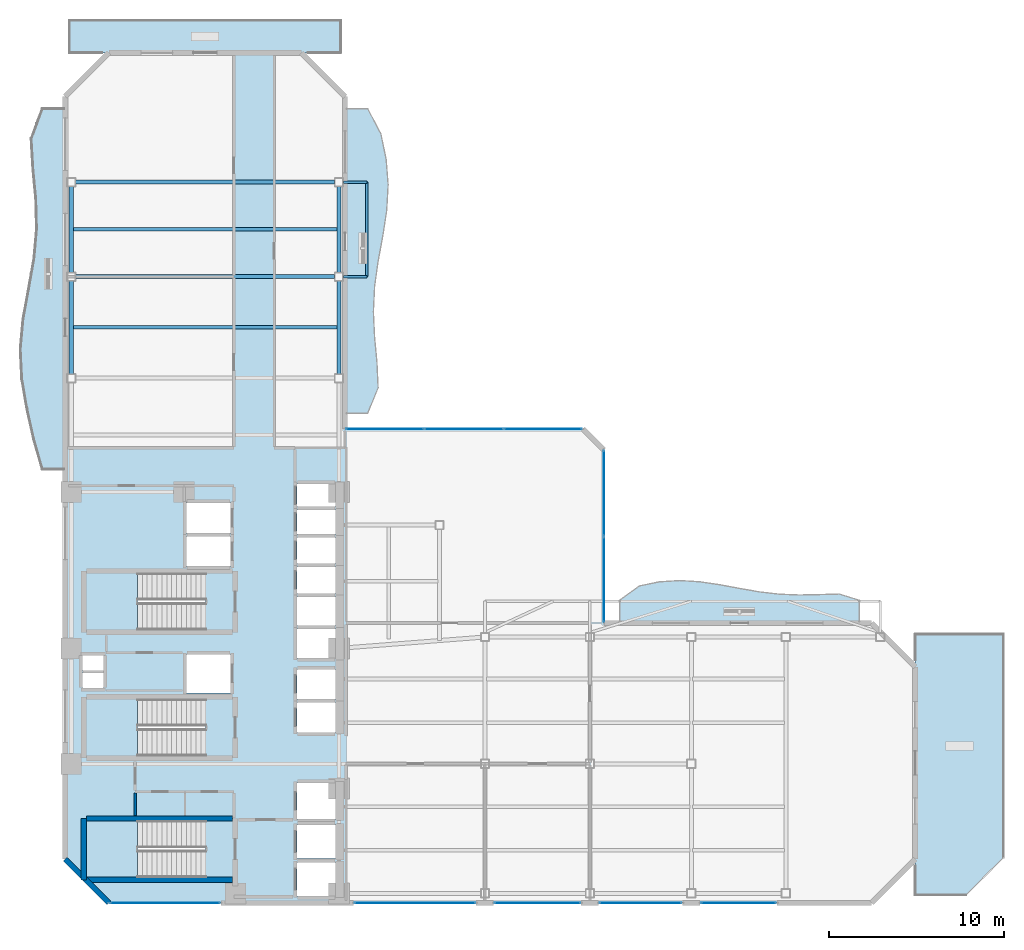
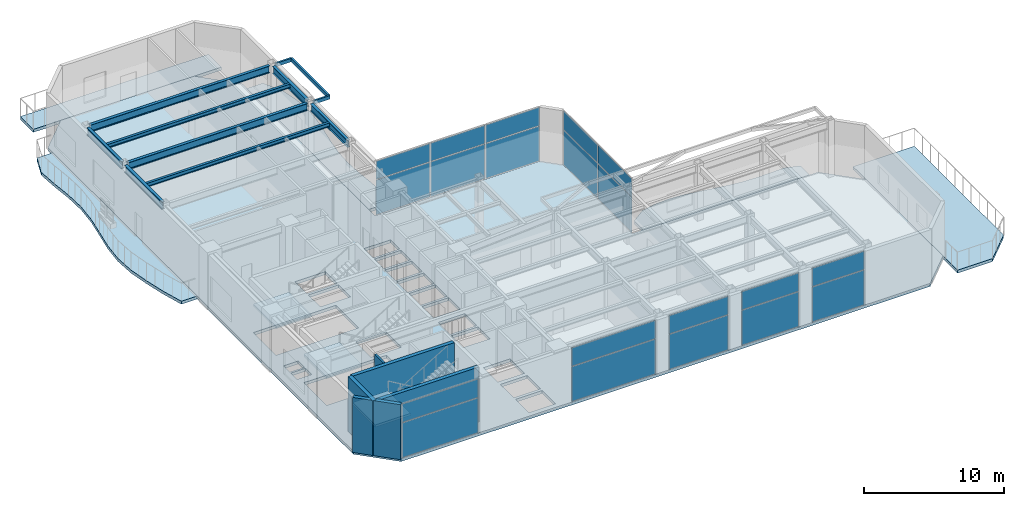
# One storey, part 15 of 23: 20 plates, 11 beams, 9 slabs, 5 walls, 10 elements without a shape of their own.
"""IFC4 building model written with IfcOpenShell, lengths in metres."""

from ifc_helpers import new_model, si_unit, direction, frame, frame_2d, origin, origin_2d, place, context, subcontext, project, spatial, polyline, rectangle, hollow_rectangle, i_section, outline, extrude, material, layer, layer_set, material_profile, profile_set, type_object, element, aggregate, save


model = new_model("IFC4")

# Units and contexts
model_context = context("Model", 3, precision=1e-05, world=origin(), true_north=direction((0.0, 1.0)))
body_context = subcontext(model_context, "Body", "Model", "MODEL_VIEW")
ifc_project = project(units=[si_unit("LENGTHUNIT", "METRE"), si_unit("AREAUNIT", "SQUARE_METRE"), si_unit("VOLUMEUNIT", "CUBIC_METRE"), si_unit("PLANEANGLEUNIT", "RADIAN"), si_unit("MASSUNIT", "GRAM", prefix="KILO")], contexts=[model_context])

# Site, building, storey
site_placement = place(None, origin())
site = spatial("IfcSite", under=ifc_project, at=site_placement, CompositionType="ELEMENT")
building_placement = place(site_placement, origin())
building = spatial("IfcBuilding", under=site, at=building_placement, Name="Mawjaban Terraces University", CompositionType="ELEMENT")
storey_placement = place(building_placement, frame((0.0, 0.0, 98.39990234375)))
storey = spatial("IfcBuildingStorey", under=building, at=storey_placement, Name="L23", CompositionType="ELEMENT", Elevation=98.39990234375)

# Beams
ifc_material_1 = material(Name="Steel EN 10210-1 S355J2H", Category="steel")
ifc_material_profile_1 = material_profile(ifc_material_1, hollow_rectangle(XDim=0.14990234375, YDim=0.300048828125, WallThickness=0.012451171875, at=origin_2d()), Name="RHS300X150X12.5")
ifc_profile_set_1 = profile_set([ifc_material_profile_1], Name="Steel EN 10210-1 S355J2H")
beam_type_1 = type_object("IfcBeamType", Name="BalconyCantileverSpandrel_RHS", PredefinedType="SPANDREL", material=ifc_profile_set_1)
for number, where, z_axis, x_axis, name in (
    (1, (37.89990234375, 35.800048828125, 4.64013671875), (1.0, 0.0, 0.0), (0.0, 1.0, 0.0), "L23 Exterior Outrigger BAL-L24-E.1"),
    (2, (37.89990234375, 41.199951171875, 4.64013671875), (1.0, 0.0, 0.0), (0.0, 1.0, 0.0), "L23 Exterior Outrigger BAL-L24-E.2"),
):
    element("IfcBeam", number, at=place(storey_placement, frame(where, z_axis=z_axis, x_axis=x_axis)), inside=storey, type_object=beam_type_1, Name=name, PredefinedType="SPANDREL", context=body_context, shape_type="SweptSolid", body=[
        extrude(hollow_rectangle(XDim=0.14990234375, YDim=0.300048828125, WallThickness=0.012451171875, at=origin_2d()), origin(), (0.0, 0.0, 1.0), 1.35009765625),
    ])
beam_1_placement = place(storey_placement, frame((39.25, 35.800048828125, 4.64013671875), z_axis=(0.0, 1.0, 0.0), x_axis=(-1.0, 0.0, 0.0)))
element("IfcBeam", 3, at=beam_1_placement, inside=storey, type_object=beam_type_1, Name="L23 Exterior Edge Spandrel BAL-L24-E", PredefinedType="SPANDREL", context=body_context, shape_type="SweptSolid", body=[
    extrude(hollow_rectangle(XDim=0.14990234375, YDim=0.300048828125, WallThickness=0.012451171875, at=origin_2d()), origin(), (0.0, 0.0, 1.0), 5.39990234375),
])
ifc_material_2 = material(Name="Steel ASTM A572 Grade 50", Category="steel")
ifc_material_profile_2 = material_profile(ifc_material_2, i_section(OverallWidth=0.22998046875, OverallDepth=0.616943359375, WebThickness=0.01318359375, FlangeThickness=0.022216796875, at=origin_2d()), Name="W610X140")
ifc_profile_set_2 = profile_set([ifc_material_profile_2], Name="Steel ASTM A572 Grade 50")
beam_type_2 = type_object("IfcBeamType", Name="Beam_B_W610X140", PredefinedType="BEAM", material=ifc_profile_set_2)
for number, where, z_axis, x_axis, name in (
    (4, (22.60009765625, 35.800048828125, 4.482177734375), (1.0, 0.0, 0.0), (0.0, 1.0, 0.0), "L23 Beam BM-L23-EW-14"),
    (5, (22.60009765625, 41.199951171875, 4.482177734375), (1.0, 0.0, 0.0), (0.0, 1.0, 0.0), "L23 Beam BM-L23-EW-15"),
):
    element("IfcBeam", number, at=place(storey_placement, frame(where, z_axis=z_axis, x_axis=x_axis)), inside=storey, type_object=beam_type_2, Name=name, PredefinedType="BEAM", context=body_context, shape_type="SweptSolid", body=[
        extrude(i_section(OverallWidth=0.22998046875, OverallDepth=0.616943359375, WebThickness=0.01318359375, FlangeThickness=0.022216796875, at=origin_2d()), origin(), (0.0, 0.0, 1.0), 14.7998046875),
    ])
beam_2_placement = place(storey_placement, frame((22.35009765625, 30.25, 4.482177734375), z_axis=(0.0, 1.0, 0.0), x_axis=(-1.0, 0.0, 0.0)))
element("IfcBeam", 6, at=beam_2_placement, inside=storey, type_object=beam_type_2, Name="L23 Beam BM-L23-NS-04", PredefinedType="BEAM", context=body_context, shape_type="SweptSolid", body=[
    extrude(i_section(OverallWidth=0.22998046875, OverallDepth=0.616943359375, WebThickness=0.01318359375, FlangeThickness=0.022216796875, at=origin_2d()), origin(), (0.0, 0.0, 1.0), 5.300048828125),
])
beam_3_placement = place(storey_placement, frame((22.35009765625, 36.050048828125, 4.482177734375), z_axis=(0.0, 1.0, 0.0), x_axis=(-1.0, 0.0, 0.0)))
element("IfcBeam", 7, at=beam_3_placement, inside=storey, type_object=beam_type_2, Name="L23 Beam BM-L23-NS-05", PredefinedType="BEAM", context=body_context, shape_type="SweptSolid", body=[
    extrude(i_section(OverallWidth=0.22998046875, OverallDepth=0.616943359375, WebThickness=0.01318359375, FlangeThickness=0.022216796875, at=origin_2d()), origin(), (0.0, 0.0, 1.0), 4.89990234375),
])
beam_4_placement = place(storey_placement, frame((37.64990234375, 30.25, 4.482177734375), z_axis=(0.0, 1.0, 0.0), x_axis=(-1.0, 0.0, 0.0)))
element("IfcBeam", 8, at=beam_4_placement, inside=storey, type_object=beam_type_2, Name="L23 Beam BM-L23-NS-10", PredefinedType="BEAM", context=body_context, shape_type="SweptSolid", body=[
    extrude(i_section(OverallWidth=0.22998046875, OverallDepth=0.616943359375, WebThickness=0.01318359375, FlangeThickness=0.022216796875, at=origin_2d()), origin(), (0.0, 0.0, 1.0), 5.300048828125),
])
beam_5_placement = place(storey_placement, frame((37.64990234375, 36.050048828125, 4.482177734375), z_axis=(0.0, 1.0, 0.0), x_axis=(-1.0, 0.0, 0.0)))
element("IfcBeam", 9, at=beam_5_placement, inside=storey, type_object=beam_type_2, Name="L23 Beam BM-L23-NS-11", PredefinedType="BEAM", context=body_context, shape_type="SweptSolid", body=[
    extrude(i_section(OverallWidth=0.22998046875, OverallDepth=0.616943359375, WebThickness=0.01318359375, FlangeThickness=0.022216796875, at=origin_2d()), origin(), (0.0, 0.0, 1.0), 4.89990234375),
])
ifc_material_profile_3 = material_profile(ifc_material_2, i_section(OverallWidth=0.202880859375, OverallDepth=0.346923828125, WebThickness=0.0078125, FlangeThickness=0.013427734375, at=origin_2d()), Name="W360X64")
ifc_profile_set_3 = profile_set([ifc_material_profile_3], Name="Steel ASTM A572 Grade 50")
beam_type_3 = type_object("IfcBeamType", Name="Beam_J_W360X64", PredefinedType="JOIST", material=ifc_profile_set_3)
for number, where, z_axis, x_axis, name in (
    (10, (22.429931640625, 32.89990234375, 4.6162109375), (1.0, 0.0, 0.0), (0.0, 1.0, 0.0), "L23 Composite Joist JST-L23-19"),
    (11, (22.429931640625, 38.5, 4.6162109375), (1.0, 0.0, 0.0), (0.0, 1.0, 0.0), "L23 Composite Joist JST-L23-20"),
):
    element("IfcBeam", number, at=place(storey_placement, frame(where, z_axis=z_axis, x_axis=x_axis)), inside=storey, type_object=beam_type_3, Name=name, PredefinedType="JOIST", context=body_context, shape_type="SweptSolid", body=[
        extrude(i_section(OverallWidth=0.202880859375, OverallDepth=0.346923828125, WebThickness=0.0078125, FlangeThickness=0.013427734375, at=origin_2d()), origin(), (0.0, 0.0, 1.0), 15.14013671875),
    ])

# Slabs
ifc_material_3 = material(Name="Concrete C40/50", Category="concrete")
ifc_layer_1 = layer(ifc_material_3, 0.260009765625)
ifc_layer_set_1 = layer_set([ifc_layer_1], Name="Concrete C40/50")
slab_type_1 = type_object("IfcSlabType", Name="BalconySlab_260_Ext", PredefinedType="FLOOR", material=ifc_layer_set_1)
slab_1_placement = place(storey_placement, frame((0.0, 0.0, -0.260009765625)))
element("IfcSlab", 12, at=slab_1_placement, inside=storey, type_object=slab_type_1, Name="L23 Planted Balcony Slab west", PredefinedType="FLOOR", context=body_context, shape_type="SweptSolid", body=[
    extrude(outline(polyline([(22.010009765625, 24.800048828125), (22.010009765625, 45.39990234375), (20.699951171875, 45.39990234375), (20.06689453125, 43.68310546875), (20.166015625, 41.967041015625), (20.330078125, 40.25), (20.3759765625, 38.532958984375), (20.221923828125, 36.81689453125), (19.916015625, 35.10009765625), (19.60205078125, 33.383056640625), (19.444091796875, 31.6669921875), (19.529052734375, 29.949951171875), (19.825927734375, 28.23291015625), (20.208984375, 26.51708984375), (20.699951171875, 24.800048828125), (22.010009765625, 24.800048828125)])), origin(), (0.0, 0.0, 1.0), 0.260009765625),
])
slab_2_placement = place(storey_placement, frame((0.0, 0.0, -0.260009765625)))
element("IfcSlab", 13, at=slab_2_placement, inside=storey, type_object=slab_type_1, Name="L23 Planted Balcony Slab inner_north", PredefinedType="FLOOR", context=body_context, shape_type="SweptSolid", body=[
    extrude(outline(polyline([(53.699951171875, 15.989990234375), (67.39990234375, 15.989990234375), (67.39990234375, 17.300048828125), (66.258056640625, 17.656982421875), (65.116943359375, 17.625), (63.97509765625, 17.60205078125), (62.8330078125, 17.64892578125), (61.69189453125, 17.781005859375), (60.550048828125, 17.97802734375), (59.407958984375, 18.19091796875), (58.26708984375, 18.35888671875), (57.125, 18.427001953125), (55.98291015625, 18.35693359375), (54.842041015625, 18.123046875), (53.699951171875, 17.300048828125), (53.699951171875, 15.989990234375)])), origin(), (0.0, 0.0, 1.0), 0.260009765625),
])
slab_3_placement = place(storey_placement, frame((0.0, 0.0, -0.260009765625)))
element("IfcSlab", 14, at=slab_3_placement, inside=storey, type_object=slab_type_1, Name="L23 Planted Balcony Slab inner_east", PredefinedType="FLOOR", context=body_context, shape_type="SweptSolid", body=[
    extrude(outline(polyline([(39.300048828125, 28.0), (39.89306640625, 29.449951171875), (39.824951171875, 30.89990234375), (39.68994140625, 32.35009765625), (39.6220703125, 33.800048828125), (39.69189453125, 35.25), (39.89599609375, 36.699951171875), (40.1630859375, 38.14990234375), (40.385009765625, 39.60009765625), (40.465087890625, 41.050048828125), (40.35205078125, 42.5), (40.052978515625, 43.949951171875), (39.300048828125, 45.39990234375), (37.989990234375, 45.39990234375), (37.989990234375, 28.0), (39.300048828125, 28.0)])), origin(), (0.0, 0.0, 1.0), 0.260009765625),
])
ifc_layer_2 = layer(ifc_material_3, 0.260009765625)
ifc_layer_set_2 = layer_set([ifc_layer_2], Name="Concrete C40/50")
slab_type_2 = type_object("IfcSlabType", Name="DiaphragmSlab_260", PredefinedType="FLOOR", material=ifc_layer_set_2)
slab_4_placement = place(storey_placement, frame((0.0, 0.0, -0.260009765625)))
element("IfcSlab", 15, at=slab_4_placement, inside=storey, type_object=slab_type_2, Name="L23 Primary Structural Slab", PredefinedType="FLOOR", context=body_context, shape_type="SweptSolid", body=[
    extrude(outline(polyline([(24.5, 0.0), (68.10009765625, 0.0), (70.60009765625, 2.5), (70.60009765625, 13.5), (68.10009765625, 16.0), (52.800048828125, 16.0), (52.800048828125, 25.89990234375), (51.60009765625, 27.10009765625), (38.0, 27.10009765625), (38.0, 46.10009765625), (35.5, 48.60009765625), (24.5, 48.60009765625), (22.0, 46.10009765625), (22.0, 2.5), (24.5, 0.0)]), holes=[polyline([(30.014892578125, 4.699951171875), (23.199951171875, 4.699951171875), (23.199951171875, 1.449951171875), (30.014892578125, 1.449951171875), (30.014892578125, 4.699951171875)]), polyline([(30.014892578125, 18.85009765625), (23.199951171875, 18.85009765625), (23.199951171875, 15.60009765625), (30.014892578125, 15.60009765625), (30.014892578125, 18.85009765625)]), polyline([(30.014892578125, 11.64990234375), (23.199951171875, 11.64990234375), (23.199951171875, 8.39990234375), (30.014892578125, 8.39990234375), (30.014892578125, 11.64990234375)]), polyline([(35.25, 0.39990234375), (37.449951171875, 0.39990234375), (37.449951171875, 2.300048828125), (35.25, 2.300048828125), (35.25, 0.39990234375)]), polyline([(35.25, 2.550048828125), (37.449951171875, 2.550048828125), (37.449951171875, 4.449951171875), (35.25, 4.449951171875), (35.25, 2.550048828125)]), polyline([(35.25, 4.800048828125), (37.449951171875, 4.800048828125), (37.449951171875, 6.85009765625), (35.25, 6.85009765625), (35.25, 4.800048828125)]), polyline([(35.25, 9.75), (37.449951171875, 9.75), (37.449951171875, 11.449951171875), (35.25, 11.449951171875), (35.25, 9.75)]), polyline([(35.25, 11.64990234375), (37.449951171875, 11.64990234375), (37.449951171875, 13.35009765625), (35.25, 13.35009765625), (35.25, 11.64990234375)]), polyline([(28.949951171875, 12.0), (31.449951171875, 12.0), (31.449951171875, 14.199951171875), (28.949951171875, 14.199951171875), (28.949951171875, 12.0)]), polyline([(35.25, 14.0), (37.449951171875, 14.0), (37.449951171875, 15.64990234375), (35.25, 15.64990234375), (35.25, 14.0)]), polyline([(35.25, 15.85009765625), (37.449951171875, 15.85009765625), (37.449951171875, 17.5), (35.25, 17.5), (35.25, 15.85009765625)]), polyline([(35.25, 17.699951171875), (37.449951171875, 17.699951171875), (37.449951171875, 19.199951171875), (35.25, 19.199951171875), (35.25, 17.699951171875)]), polyline([(35.25, 19.39990234375), (37.449951171875, 19.39990234375), (37.449951171875, 20.89990234375), (35.25, 20.89990234375), (35.25, 19.39990234375)]), polyline([(28.949951171875, 19.25), (31.449951171875, 19.25), (31.449951171875, 20.949951171875), (28.949951171875, 20.949951171875), (28.949951171875, 19.25)]), polyline([(35.25, 21.10009765625), (37.449951171875, 21.10009765625), (37.449951171875, 22.449951171875), (35.25, 22.449951171875), (35.25, 21.10009765625)]), polyline([(35.25, 22.64990234375), (37.449951171875, 22.64990234375), (37.449951171875, 23.949951171875), (35.25, 23.949951171875), (35.25, 22.64990234375)]), polyline([(28.949951171875, 21.14990234375), (31.449951171875, 21.14990234375), (31.449951171875, 22.85009765625), (28.949951171875, 22.85009765625), (28.949951171875, 21.14990234375)]), polyline([(23.0, 12.25), (24.199951171875, 12.25), (24.199951171875, 13.14990234375), (23.0, 13.14990234375), (23.0, 12.25)]), polyline([(23.0, 13.300048828125), (24.199951171875, 13.300048828125), (24.199951171875, 14.179931640625), (23.0, 14.179931640625), (23.0, 13.300048828125)])]), origin(), (0.0, 0.0, 1.0), 0.260009765625),
])

# Stair, slab
stair_type = type_object("IfcStairType", Name="Stair_Core1550_H50", PredefinedType="HALF_TURN_STAIR", material=ifc_material_3)
stair_1_placement = place(storey_placement, origin())
stair_1 = element("IfcStair", 16, at=stair_1_placement, inside=storey, type_object=stair_type, Name="L23 Core Exit Stair 1", PredefinedType="HALF_TURN_STAIR")
ifc_layer_3 = layer(ifc_material_3, 0.199951171875)
ifc_layer_set_3 = layer_set([ifc_layer_3], Name="Concrete C40/50")
slab_type_3 = type_object("IfcSlabType", Name="StairLandingSlab_200", PredefinedType="LANDING", material=ifc_layer_set_3)
slab_5_placement = place(storey_placement, frame((0.0, 0.0, 2.300048828125)))
slab_5 = element("IfcSlab", 17, at=slab_5_placement, type_object=slab_type_3, Name="ST-1 landing 1", PredefinedType="LANDING", context=body_context, shape_type="SweptSolid", body=[
    extrude(outline(polyline([(26.1298828125, 4.699951171875), (23.199951171875, 4.699951171875), (23.199951171875, 1.449951171875), (26.1298828125, 1.449951171875), (26.1298828125, 4.699951171875)])), origin(), (0.0, 0.0, 1.0), 0.199951171875),
])
aggregate(stair_1, [slab_5])

stair_2_placement = place(storey_placement, origin())
stair_2 = element("IfcStair", 18, at=stair_2_placement, inside=storey, type_object=stair_type, Name="L23 Core Exit Stair 2", PredefinedType="HALF_TURN_STAIR")
slab_6_placement = place(storey_placement, frame((0.0, 0.0, 2.300048828125)))
slab_6 = element("IfcSlab", 19, at=slab_6_placement, type_object=slab_type_3, Name="ST-2 landing 1", PredefinedType="LANDING", context=body_context, shape_type="SweptSolid", body=[
    extrude(outline(polyline([(26.1298828125, 18.85009765625), (23.199951171875, 18.85009765625), (23.199951171875, 15.60009765625), (26.1298828125, 15.60009765625), (26.1298828125, 18.85009765625)])), origin(), (0.0, 0.0, 1.0), 0.199951171875),
])
aggregate(stair_2, [slab_6])

stair_3_placement = place(storey_placement, origin())
stair_3 = element("IfcStair", 20, at=stair_3_placement, inside=storey, type_object=stair_type, Name="L23 Core Exit Stair 3", PredefinedType="HALF_TURN_STAIR")
slab_7_placement = place(storey_placement, frame((0.0, 0.0, 2.300048828125)))
slab_7 = element("IfcSlab", 21, at=slab_7_placement, type_object=slab_type_3, Name="ST-3 landing 1", PredefinedType="LANDING", context=body_context, shape_type="SweptSolid", body=[
    extrude(outline(polyline([(26.1298828125, 11.64990234375), (23.199951171875, 11.64990234375), (23.199951171875, 8.39990234375), (26.1298828125, 8.39990234375), (26.1298828125, 11.64990234375)])), origin(), (0.0, 0.0, 1.0), 0.199951171875),
])
aggregate(stair_3, [slab_7])

# Slabs
ifc_layer_4 = layer(ifc_material_3, 0.260009765625)
ifc_layer_set_4 = layer_set([ifc_layer_4], Name="Concrete C40/50")
slab_type_4 = type_object("IfcSlabType", Name="TerraceRoofSlab_260_Ext", PredefinedType="ROOF", material=ifc_layer_set_4)
slab_8_placement = place(storey_placement, frame((0.0, 0.0, -0.260009765625)))
element("IfcSlab", 22, at=slab_8_placement, inside=storey, type_object=slab_type_4, Name="L23 Exterior Setback Terrace Slab", PredefinedType="ROOF", context=body_context, shape_type="SweptSolid", body=[
    extrude(outline(polyline([(70.60009765625, 0.449951171875), (73.5, 0.449951171875), (75.64990234375, 2.60009765625), (75.64990234375, 15.35009765625), (70.60009765625, 15.35009765625), (70.60009765625, 0.449951171875)])), origin(), (0.0, 0.0, 1.0), 0.260009765625),
])
slab_9_placement = place(storey_placement, frame((0.0, 0.0, -0.260009765625)))
element("IfcSlab", 23, at=slab_9_placement, inside=storey, type_object=slab_type_4, Name="L23 Exterior Setback Terrace Slab", PredefinedType="ROOF", context=body_context, shape_type="SweptSolid", body=[
    extrude(outline(polyline([(22.25, 48.60009765625), (37.75, 48.60009765625), (37.75, 50.449951171875), (22.25, 50.449951171875), (22.25, 48.60009765625)])), origin(), (0.0, 0.0, 1.0), 0.260009765625),
])

# Curtain wall, plates
ifc_material_4 = material(Name="Anodised aluminium 6063-T6 and solar-control low-E glass", Category="aluminium")
ifc_layer_5 = layer(ifc_material_4, 0.18994140625)
ifc_layer_set_5 = layer_set([ifc_layer_5], Name="Anodised aluminium 6063-T6 and solar-control low-E glass")
curtain_wall_type = type_object("IfcCurtainWallType", Name="CWSystem_05_SkyLobby", PredefinedType="NOTDEFINED", material=ifc_layer_set_5)
curtain_wall_1_placement = place(storey_placement, origin())
curtain_wall_1 = element("IfcCurtainWall", 24, at=curtain_wall_1_placement, inside=storey, type_object=curtain_wall_type, Name="L23 Curtain Wall CW-05 Run 1.1", PredefinedType="NOTDEFINED")
ifc_material_5 = material(Name="Low-E solar-control double glazing", Category="glass")
ifc_layer_6 = layer(ifc_material_5, 0.033935546875)
ifc_layer_set_6 = layer_set([ifc_layer_6], Name="Low-E solar-control double glazing")
plate_type = type_object("IfcPlateType", Name="VisionPanel_CW-05", PredefinedType="CURTAIN_PANEL", material=ifc_layer_set_6)
plate_1_placement = place(storey_placement, frame((27.699951171875, 0.0, 0.06005859375), z_axis=(0.0, 0.0, 1.0), x_axis=(1.0, 0.0, 0.0)))
plate_1 = element("IfcPlate", 25, at=plate_1_placement, type_object=plate_type, Name="CW-05 panel 1.1", PredefinedType="CURTAIN_PANEL", context=body_context, shape_type="SweptSolid", body=[
    extrude(rectangle(XDim=6.27001953125, YDim=0.028076171875, at=origin_2d()), origin(), (0.0, 0.0, 1.0), 3.02294921875),
])
plate_2_placement = place(storey_placement, frame((27.699951171875, 0.0, 3.14306640625), z_axis=(0.0, 0.0, 1.0), x_axis=(1.0, 0.0, 0.0)))
plate_2 = element("IfcPlate", 26, at=plate_2_placement, type_object=plate_type, Name="CW-05 panel 1.2", PredefinedType="CURTAIN_PANEL", context=body_context, shape_type="SweptSolid", body=[
    extrude(rectangle(XDim=6.27001953125, YDim=0.028076171875, at=origin_2d()), origin(), (0.0, 0.0, 1.0), 1.5869140625),
])
aggregate(curtain_wall_1, [plate_1, plate_2])

curtain_wall_2_placement = place(storey_placement, origin())
curtain_wall_2 = element("IfcCurtainWall", 27, at=curtain_wall_2_placement, inside=storey, type_object=curtain_wall_type, Name="L23 Curtain Wall CW-05 Run 1.2", PredefinedType="NOTDEFINED")
plate_3_placement = place(storey_placement, frame((42.0, 0.0, 0.06005859375), z_axis=(0.0, 0.0, 1.0), x_axis=(1.0, 0.0, 0.0)))
plate_3 = element("IfcPlate", 28, at=plate_3_placement, type_object=plate_type, Name="CW-05 panel 1.1", PredefinedType="CURTAIN_PANEL", context=body_context, shape_type="SweptSolid", body=[
    extrude(rectangle(XDim=6.8701171875, YDim=0.028076171875, at=origin_2d()), origin(), (0.0, 0.0, 1.0), 3.02294921875),
])
plate_4_placement = place(storey_placement, frame((42.0, 0.0, 3.14306640625), z_axis=(0.0, 0.0, 1.0), x_axis=(1.0, 0.0, 0.0)))
plate_4 = element("IfcPlate", 29, at=plate_4_placement, type_object=plate_type, Name="CW-05 panel 1.2", PredefinedType="CURTAIN_PANEL", context=body_context, shape_type="SweptSolid", body=[
    extrude(rectangle(XDim=6.8701171875, YDim=0.028076171875, at=origin_2d()), origin(), (0.0, 0.0, 1.0), 1.5869140625),
])
aggregate(curtain_wall_2, [plate_3, plate_4])

curtain_wall_3_placement = place(storey_placement, origin())
curtain_wall_3 = element("IfcCurtainWall", 30, at=curtain_wall_3_placement, inside=storey, type_object=curtain_wall_type, Name="L23 Curtain Wall CW-05 Run 1.3", PredefinedType="NOTDEFINED")
plate_5_placement = place(storey_placement, frame((49.0, 0.0, 0.06005859375), z_axis=(0.0, 0.0, 1.0), x_axis=(1.0, 0.0, 0.0)))
plate_5 = element("IfcPlate", 31, at=plate_5_placement, type_object=plate_type, Name="CW-05 panel 1.1", PredefinedType="CURTAIN_PANEL", context=body_context, shape_type="SweptSolid", body=[
    extrude(rectangle(XDim=4.8701171875, YDim=0.028076171875, at=origin_2d()), origin(), (0.0, 0.0, 1.0), 3.02294921875),
])
plate_6_placement = place(storey_placement, frame((49.0, 0.0, 3.14306640625), z_axis=(0.0, 0.0, 1.0), x_axis=(1.0, 0.0, 0.0)))
plate_6 = element("IfcPlate", 32, at=plate_6_placement, type_object=plate_type, Name="CW-05 panel 1.2", PredefinedType="CURTAIN_PANEL", context=body_context, shape_type="SweptSolid", body=[
    extrude(rectangle(XDim=4.8701171875, YDim=0.028076171875, at=origin_2d()), origin(), (0.0, 0.0, 1.0), 1.5869140625),
])
aggregate(curtain_wall_3, [plate_5, plate_6])

curtain_wall_4_placement = place(storey_placement, origin())
curtain_wall_4 = element("IfcCurtainWall", 33, at=curtain_wall_4_placement, inside=storey, type_object=curtain_wall_type, Name="L23 Curtain Wall CW-05 Run 1.4", PredefinedType="NOTDEFINED")
plate_7_placement = place(storey_placement, frame((54.89990234375, 0.0, 0.06005859375), z_axis=(0.0, 0.0, 1.0), x_axis=(1.0, 0.0, 0.0)))
plate_7 = element("IfcPlate", 34, at=plate_7_placement, type_object=plate_type, Name="CW-05 panel 1.1", PredefinedType="CURTAIN_PANEL", context=body_context, shape_type="SweptSolid", body=[
    extrude(rectangle(XDim=4.669921875, YDim=0.028076171875, at=origin_2d()), origin(), (0.0, 0.0, 1.0), 3.02294921875),
])
plate_8_placement = place(storey_placement, frame((54.89990234375, 0.0, 3.14306640625), z_axis=(0.0, 0.0, 1.0), x_axis=(1.0, 0.0, 0.0)))
plate_8 = element("IfcPlate", 35, at=plate_8_placement, type_object=plate_type, Name="CW-05 panel 1.2", PredefinedType="CURTAIN_PANEL", context=body_context, shape_type="SweptSolid", body=[
    extrude(rectangle(XDim=4.669921875, YDim=0.028076171875, at=origin_2d()), origin(), (0.0, 0.0, 1.0), 1.5869140625),
])
aggregate(curtain_wall_4, [plate_7, plate_8])

curtain_wall_5_placement = place(storey_placement, origin())
curtain_wall_5 = element("IfcCurtainWall", 36, at=curtain_wall_5_placement, inside=storey, type_object=curtain_wall_type, Name="L23 Curtain Wall CW-05 Run 1.5", PredefinedType="NOTDEFINED")
plate_9_placement = place(storey_placement, frame((60.5, 0.0, 0.06005859375), z_axis=(0.0, 0.0, 1.0), x_axis=(1.0, 0.0, 0.0)))
plate_9 = element("IfcPlate", 37, at=plate_9_placement, type_object=plate_type, Name="CW-05 panel 1.1", PredefinedType="CURTAIN_PANEL", context=body_context, shape_type="SweptSolid", body=[
    extrude(rectangle(XDim=4.27001953125, YDim=0.028076171875, at=origin_2d()), origin(), (0.0, 0.0, 1.0), 3.02294921875),
])
plate_10_placement = place(storey_placement, frame((60.5, 0.0, 3.14306640625), z_axis=(0.0, 0.0, 1.0), x_axis=(1.0, 0.0, 0.0)))
plate_10 = element("IfcPlate", 38, at=plate_10_placement, type_object=plate_type, Name="CW-05 panel 1.2", PredefinedType="CURTAIN_PANEL", context=body_context, shape_type="SweptSolid", body=[
    extrude(rectangle(XDim=4.27001953125, YDim=0.028076171875, at=origin_2d()), origin(), (0.0, 0.0, 1.0), 1.5869140625),
])
aggregate(curtain_wall_5, [plate_9, plate_10])

curtain_wall_6_placement = place(storey_placement, origin())
curtain_wall_6 = element("IfcCurtainWall", 39, at=curtain_wall_6_placement, inside=storey, type_object=curtain_wall_type, Name="L23 Curtain Wall CW-05 Run 6.1", PredefinedType="NOTDEFINED")
plate_11_placement = place(storey_placement, frame((52.800048828125, 18.4912109375, 0.06005859375), z_axis=(0.0, 0.0, 1.0), x_axis=(0.0, 1.0, 0.0)))
plate_11 = element("IfcPlate", 40, at=plate_11_placement, type_object=plate_type, Name="CW-05 panel 1.1", PredefinedType="CURTAIN_PANEL", context=body_context, shape_type="SweptSolid", body=[
    extrude(rectangle(XDim=4.8525390625, YDim=0.028076171875, at=origin_2d()), origin(), (0.0, 0.0, 1.0), 3.02294921875),
])
plate_12_placement = place(storey_placement, frame((52.800048828125, 18.4912109375, 3.14306640625), z_axis=(0.0, 0.0, 1.0), x_axis=(0.0, 1.0, 0.0)))
plate_12 = element("IfcPlate", 41, at=plate_12_placement, type_object=plate_type, Name="CW-05 panel 1.2", PredefinedType="CURTAIN_PANEL", context=body_context, shape_type="SweptSolid", body=[
    extrude(rectangle(XDim=4.8525390625, YDim=0.028076171875, at=origin_2d()), origin(), (0.0, 0.0, 1.0), 1.5869140625),
])
plate_13_placement = place(storey_placement, frame((52.800048828125, 23.40869140625, 0.06005859375), z_axis=(0.0, 0.0, 1.0), x_axis=(0.0, 1.0, 0.0)))
plate_13 = element("IfcPlate", 42, at=plate_13_placement, type_object=plate_type, Name="CW-05 panel 2.1", PredefinedType="CURTAIN_PANEL", context=body_context, shape_type="SweptSolid", body=[
    extrude(rectangle(XDim=4.8525390625, YDim=0.028076171875, at=origin_2d()), origin(), (0.0, 0.0, 1.0), 3.02294921875),
])
plate_14_placement = place(storey_placement, frame((52.800048828125, 23.40869140625, 3.14306640625), z_axis=(0.0, 0.0, 1.0), x_axis=(0.0, 1.0, 0.0)))
plate_14 = element("IfcPlate", 43, at=plate_14_placement, type_object=plate_type, Name="CW-05 panel 2.2", PredefinedType="CURTAIN_PANEL", context=body_context, shape_type="SweptSolid", body=[
    extrude(rectangle(XDim=4.8525390625, YDim=0.028076171875, at=origin_2d()), origin(), (0.0, 0.0, 1.0), 1.5869140625),
])
aggregate(curtain_wall_6, [plate_11, plate_12, plate_13, plate_14])

curtain_wall_7_placement = place(storey_placement, origin())
curtain_wall_7 = element("IfcCurtainWall", 44, at=curtain_wall_7_placement, inside=storey, type_object=curtain_wall_type, Name="L23 Curtain Wall CW-05 Run 8.1", PredefinedType="NOTDEFINED")
plate_15_placement = place(storey_placement, frame((49.317138671875, 27.10009765625, 0.06005859375), z_axis=(0.0, 0.0, 1.0), x_axis=(-1.0, 0.0, 0.0)))
plate_15 = element("IfcPlate", 45, at=plate_15_placement, type_object=plate_type, Name="CW-05 panel 1.1", PredefinedType="CURTAIN_PANEL", context=body_context, shape_type="SweptSolid", body=[
    extrude(rectangle(XDim=4.435791015625, YDim=0.028076171875, at=origin_2d()), origin(), (0.0, 0.0, 1.0), 3.02294921875),
])
plate_16_placement = place(storey_placement, frame((49.317138671875, 27.10009765625, 3.14306640625), z_axis=(0.0, 0.0, 1.0), x_axis=(-1.0, 0.0, 0.0)))
plate_16 = element("IfcPlate", 46, at=plate_16_placement, type_object=plate_type, Name="CW-05 panel 1.2", PredefinedType="CURTAIN_PANEL", context=body_context, shape_type="SweptSolid", body=[
    extrude(rectangle(XDim=4.435791015625, YDim=0.028076171875, at=origin_2d()), origin(), (0.0, 0.0, 1.0), 1.5869140625),
])
plate_17_placement = place(storey_placement, frame((44.800048828125, 27.10009765625, 0.06005859375), z_axis=(0.0, 0.0, 1.0), x_axis=(-1.0, 0.0, 0.0)))
plate_17 = element("IfcPlate", 47, at=plate_17_placement, type_object=plate_type, Name="CW-05 panel 2.1", PredefinedType="CURTAIN_PANEL", context=body_context, shape_type="SweptSolid", body=[
    extrude(rectangle(XDim=4.46826171875, YDim=0.028076171875, at=origin_2d()), origin(), (0.0, 0.0, 1.0), 3.02294921875),
])
plate_18_placement = place(storey_placement, frame((44.800048828125, 27.10009765625, 3.14306640625), z_axis=(0.0, 0.0, 1.0), x_axis=(-1.0, 0.0, 0.0)))
plate_18 = element("IfcPlate", 48, at=plate_18_placement, type_object=plate_type, Name="CW-05 panel 2.2", PredefinedType="CURTAIN_PANEL", context=body_context, shape_type="SweptSolid", body=[
    extrude(rectangle(XDim=4.46826171875, YDim=0.028076171875, at=origin_2d()), origin(), (0.0, 0.0, 1.0), 1.5869140625),
])
plate_19_placement = place(storey_placement, frame((40.282958984375, 27.10009765625, 0.06005859375), z_axis=(0.0, 0.0, 1.0), x_axis=(-1.0, 0.0, 0.0)))
plate_19 = element("IfcPlate", 49, at=plate_19_placement, type_object=plate_type, Name="CW-05 panel 3.1", PredefinedType="CURTAIN_PANEL", context=body_context, shape_type="SweptSolid", body=[
    extrude(rectangle(XDim=4.435791015625, YDim=0.028076171875, at=origin_2d()), origin(), (0.0, 0.0, 1.0), 3.02294921875),
])
plate_20_placement = place(storey_placement, frame((40.282958984375, 27.10009765625, 3.14306640625), z_axis=(0.0, 0.0, 1.0), x_axis=(-1.0, 0.0, 0.0)))
plate_20 = element("IfcPlate", 50, at=plate_20_placement, type_object=plate_type, Name="CW-05 panel 3.2", PredefinedType="CURTAIN_PANEL", context=body_context, shape_type="SweptSolid", body=[
    extrude(rectangle(XDim=4.435791015625, YDim=0.028076171875, at=origin_2d()), origin(), (0.0, 0.0, 1.0), 1.5869140625),
])
aggregate(curtain_wall_7, [plate_15, plate_16, plate_17, plate_18, plate_19, plate_20])

# Walls
ifc_material_6 = material(Name="Insulated terracotta rainscreen on concrete backup C40/50", Category="masonry")
ifc_layer_7 = layer(ifc_material_6, 0.300048828125)
ifc_layer_set_7 = layer_set([ifc_layer_7], Name="Insulated terracotta rainscreen on concrete backup C40/50")
wall_type_1 = type_object("IfcWallType", Name="ExtTerracottaWall_300", PredefinedType="SOLIDWALL", material=ifc_layer_set_7)
wall_1_placement = place(storey_placement, frame((22.0, 2.5, 0.0), z_axis=(0.0, 0.0, 1.0), x_axis=(0.707106781187, -0.707106781187, 0.0)))
element("IfcWall", 51, at=wall_1_placement, inside=storey, type_object=wall_type_1, Name="L23 Exterior Terracotta Wall 14", PredefinedType="SOLIDWALL", context=body_context, shape_type="SweptSolid", body=[
    extrude(rectangle(XDim=3.53564453125, YDim=0.300048828125, at=frame_2d((1.767822265625, 0.0))), origin(), (0.0, 0.0, 1.0), 4.7900390625),
])
ifc_material_7 = material(Name="Concrete C60/75", Category="concrete")
ifc_layer_8 = layer(ifc_material_7, 0.300048828125)
ifc_layer_set_8 = layer_set([ifc_layer_8], Name="Concrete C60/75")
wall_type_2 = type_object("IfcWallType", Name="StairShaftWall_300", PredefinedType="SHEAR", material=ifc_layer_set_8)
wall_2_placement = place(storey_placement, frame((31.580078125, 4.830078125, 0.0), z_axis=(0.0, 0.0, 1.0), x_axis=(-1.0, 0.0, 0.0)))
element("IfcWall", 52, at=wall_2_placement, inside=storey, type_object=wall_type_2, Name="L23 ST-1 Stair Shaft Wall 1", PredefinedType="SHEAR", context=body_context, shape_type="SweptSolid", body=[
    extrude(rectangle(XDim=8.360107421875, YDim=0.300048828125, at=frame_2d((4.18017578125, 0.0))), origin(), (0.0, 0.0, 1.0), 4.7900390625),
])
wall_3_placement = place(storey_placement, frame((23.070068359375, 4.830078125, 0.0), z_axis=(0.0, 0.0, 1.0), x_axis=(0.0, -1.0, 0.0)))
element("IfcWall", 53, at=wall_3_placement, inside=storey, type_object=wall_type_2, Name="L23 ST-1 Stair Shaft Wall 2", PredefinedType="SHEAR", context=body_context, shape_type="SweptSolid", body=[
    extrude(rectangle(XDim=3.510009765625, YDim=0.300048828125, at=frame_2d((1.7548828125, 0.0))), origin(), (0.0, 0.0, 1.0), 4.7900390625),
])
wall_4_placement = place(storey_placement, frame((23.219970703125, 1.320068359375, 0.0), z_axis=(0.0, 0.0, 1.0), x_axis=(1.0, 0.0, 0.0)))
element("IfcWall", 54, at=wall_4_placement, inside=storey, type_object=wall_type_2, Name="L23 ST-1 Stair Shaft Wall 3", PredefinedType="SHEAR", context=body_context, shape_type="SweptSolid", body=[
    extrude(rectangle(XDim=8.360107421875, YDim=0.300048828125, at=frame_2d((4.18017578125, 0.0))), origin(), (0.0, 0.0, 1.0), 4.7900390625),
])
ifc_material_8 = material(Name="Cement-board wet-room partition", Category="masonry")
ifc_layer_9 = layer(ifc_material_8, 0.135009765625)
ifc_layer_set_9 = layer_set([ifc_layer_9], Name="Cement-board wet-room partition")
wall_type_3 = type_object("IfcWallType", Name="WetRoomPartition_135", PredefinedType="PARTITIONING", material=ifc_layer_set_9)
wall_5_placement = place(storey_placement, frame((26.0, 5.010009765625, 0.0), z_axis=(0.0, 0.0, 1.0), x_axis=(0.0, 1.0, 0.0)))
element("IfcWall", 55, at=wall_5_placement, inside=storey, type_object=wall_type_3, Name="L23 Ablution Room Partition 17", PredefinedType="PARTITIONING", context=body_context, shape_type="SweptSolid", body=[
    extrude(rectangle(XDim=1.264892578125, YDim=0.135009765625, at=frame_2d((0.63232421875, 0.0))), origin(), (0.0, 0.0, 1.0), 4.7900390625),
])

save(model, "model.ifc")
